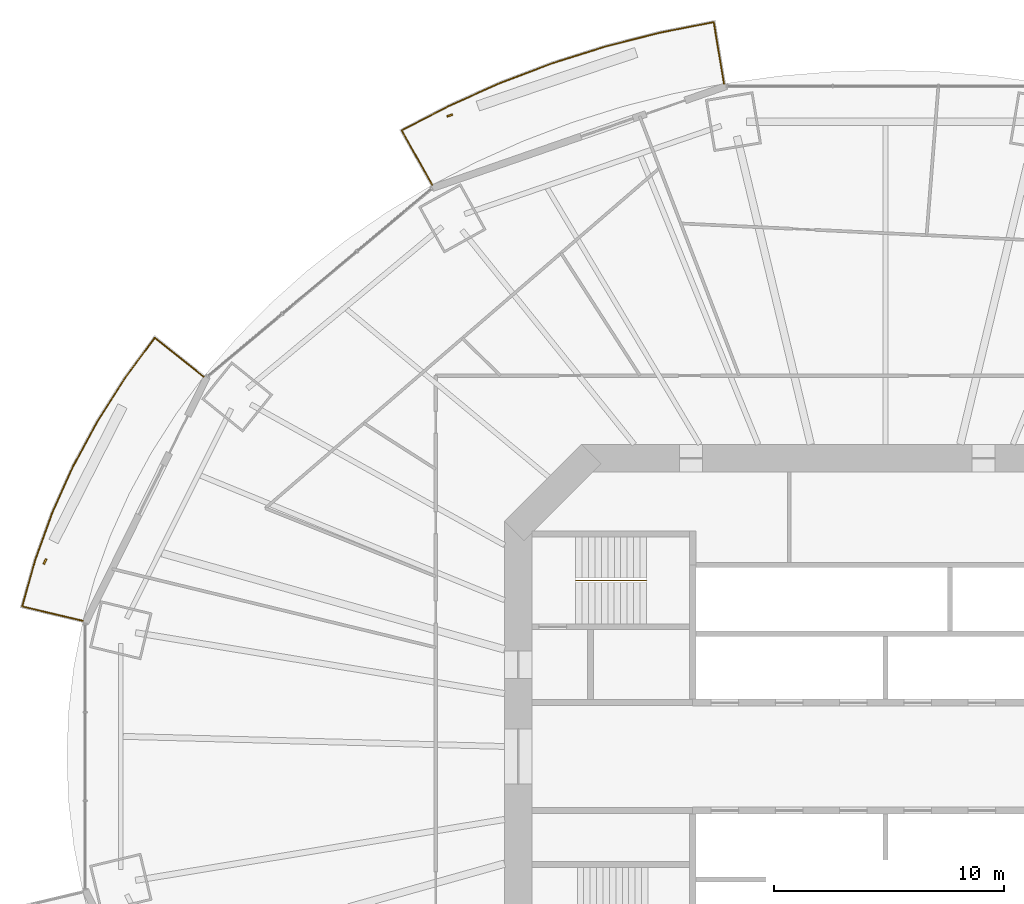
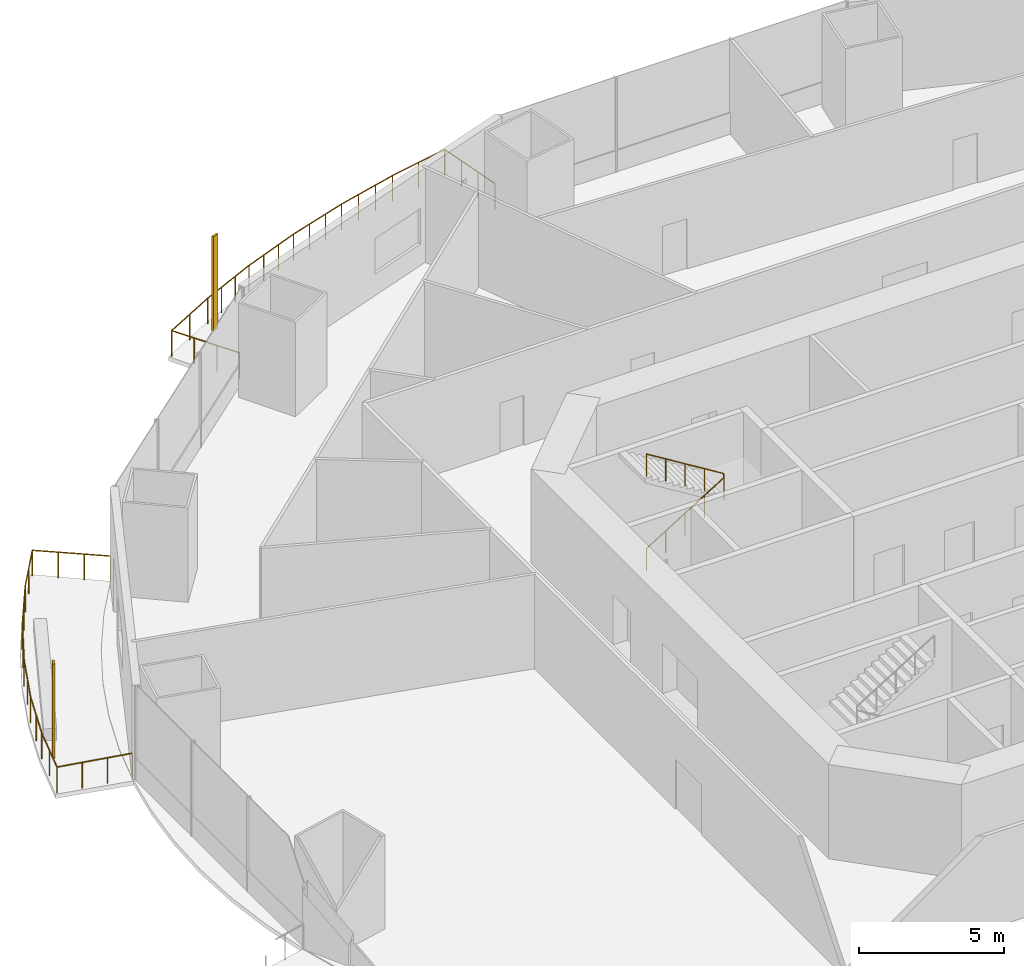
# One storey, part 19 of 22: 3 railings, 2 shading devices.
"""IFC4 building model written with IfcOpenShell, lengths in metres."""

from ifc_helpers import new_model, si_unit, direction, frame, origin, origin_2d, place, context, subcontext, project, spatial, rectangle, circle, extrude, material, material_profile, profile_set, type_object, element, save


model = new_model("IFC4")

# Units and contexts
model_context = context("Model", 3, precision=1e-05, world=origin(), true_north=direction((0.0, 1.0)))
body_context = subcontext(model_context, "Body", "Model", "MODEL_VIEW")
ifc_project = project(units=[si_unit("LENGTHUNIT", "METRE"), si_unit("AREAUNIT", "SQUARE_METRE"), si_unit("VOLUMEUNIT", "CUBIC_METRE"), si_unit("PLANEANGLEUNIT", "RADIAN"), si_unit("MASSUNIT", "GRAM", prefix="KILO")], contexts=[model_context])

# Site, building, storey
site_placement = place(None, origin())
site = spatial("IfcSite", under=ifc_project, at=site_placement, CompositionType="ELEMENT")
building_placement = place(site_placement, origin())
building = spatial("IfcBuilding", under=site, at=building_placement, Name="Marenthal Gate Tower", CompositionType="ELEMENT")
storey_placement = place(building_placement, frame((0.0, 0.0, 70.35009765625)))
storey = spatial("IfcBuildingStorey", under=building, at=storey_placement, Name="L13", CompositionType="ELEMENT", Elevation=70.35009765625)

# Railings
ifc_material_1 = material(Name="Stainless steel", Category="steel")
railing_type_1 = type_object("IfcRailingType", Name="Balcony guard 1100", PredefinedType="GUARDRAIL", material=ifc_material_1)
railing_1_placement = place(storey_placement, frame((-19.7490234375, 24.9033203125, 0.0)))
element("IfcRailing", 1, at=railing_1_placement, inside=storey, type_object=railing_type_1, Name="Balcony guard L13 bay 5", PredefinedType="GUARDRAIL", context=body_context, shape_type="SweptSolid", body=[
    extrude(circle(Radius=0.02392578125, at=origin_2d()), frame((0.0, 0.0, 1.076171875), z_axis=(-0.488916588254, 0.872206373208, -0.014717753391), x_axis=(-0.872300853857, -0.488969549523, 0.0)), (0.0, 0.0, 1.0), 2.720458984375),
    extrude(circle(Radius=0.02392578125, at=origin_2d()), frame((-1.330078125, 2.372802734375, 1.0361328125), z_axis=(0.887259903965, 0.461269837314, 0.0), x_axis=(-0.461269837314, 0.887259903965, 0.0)), (0.0, 0.0, 1.0), 2.318359375),
    extrude(circle(Radius=0.02392578125, at=origin_2d()), frame((0.726806640625, 3.442138671875, 1.0361328125), z_axis=(0.91254444095, 0.408977558419, 0.0), x_axis=(-0.408977558419, 0.91254444095, 0.0)), (0.0, 0.0, 1.0), 2.415771484375),
    extrude(circle(Radius=0.02392578125, at=origin_2d()), frame((2.931396484375, 4.43017578125, 1.0361328125), z_axis=(0.934822913626, 0.355114235366, 0.0), x_axis=(-0.355114235366, 0.934822913626, 0.0)), (0.0, 0.0, 1.0), 2.431640625),
    extrude(circle(Radius=0.02392578125, at=origin_2d()), frame((5.20458984375, 5.293701171875, 1.0361328125), z_axis=(0.953650519342, 0.300916411912, 0.0), x_axis=(-0.300916411912, 0.953650519342, 0.0)), (0.0, 0.0, 1.0), 2.446044921875),
    extrude(circle(Radius=0.02392578125, at=origin_2d()), frame((7.537353515625, 6.02978515625, 1.0361328125), z_axis=(0.969164913017, 0.246413009756, 0.0), x_axis=(-0.246413009756, 0.969164913017, 0.0)), (0.0, 0.0, 1.0), 2.4580078125),
    extrude(circle(Radius=0.02392578125, at=origin_2d()), frame((9.919677734375, 6.635498046875, 1.0361328125), z_axis=(0.981255035118, 0.192713663388, 0.0), x_axis=(-0.192713663388, 0.981255035118, 0.0)), (0.0, 0.0, 1.0), 2.387939453125),
    extrude(circle(Radius=0.02392578125, at=origin_2d()), frame((12.262939453125, 7.095703125, 1.0361328125), z_axis=(0.164599482451, -0.986250661205, 0.014718819587), x_axis=(0.986357511038, 0.164617315064, 0.0)), (0.0, 0.0, 1.0), 2.72021484375),
    extrude(circle(Radius=0.02099609375, at=origin_2d()), origin(), (0.0, 0.0, 1.0), 1.052001953125),
    extrude(circle(Radius=0.02099609375, at=origin_2d()), frame((-0.443359375, 0.791015625, -0.013427734375)), (0.0, 0.0, 1.0), 1.052001953125),
    extrude(circle(Radius=0.02099609375, at=origin_2d()), frame((-0.88671875, 1.581787109375, -0.026611328125)), (0.0, 0.0, 1.0), 1.052001953125),
    extrude(circle(Radius=0.02099609375, at=origin_2d()), frame((-1.330078125, 2.372802734375, -0.0400390625)), (0.0, 0.0, 1.0), 1.052001953125),
    extrude(circle(Radius=0.02099609375, at=origin_2d()), frame((-0.3017578125, 2.907470703125, -0.0400390625)), (0.0, 0.0, 1.0), 1.052001953125),
    extrude(circle(Radius=0.02099609375, at=origin_2d()), frame((0.726806640625, 3.442138671875, -0.0400390625)), (0.0, 0.0, 1.0), 1.052001953125),
    extrude(circle(Radius=0.02099609375, at=origin_2d()), frame((1.461669921875, 3.771484375, -0.0400390625)), (0.0, 0.0, 1.0), 1.052001953125),
    extrude(circle(Radius=0.02099609375, at=origin_2d()), frame((2.196533203125, 4.100830078125, -0.0400390625)), (0.0, 0.0, 1.0), 1.052001953125),
    extrude(circle(Radius=0.02099609375, at=origin_2d()), frame((2.931396484375, 4.43017578125, -0.0400390625)), (0.0, 0.0, 1.0), 1.052001953125),
    extrude(circle(Radius=0.02099609375, at=origin_2d()), frame((3.689208984375, 4.718017578125, -0.0400390625)), (0.0, 0.0, 1.0), 1.052001953125),
    extrude(circle(Radius=0.02099609375, at=origin_2d()), frame((4.44677734375, 5.005859375, -0.0400390625)), (0.0, 0.0, 1.0), 1.052001953125),
    extrude(circle(Radius=0.02099609375, at=origin_2d()), frame((5.20458984375, 5.293701171875, -0.0400390625)), (0.0, 0.0, 1.0), 1.052001953125),
    extrude(circle(Radius=0.02099609375, at=origin_2d()), frame((5.982177734375, 5.5390625, -0.0400390625)), (0.0, 0.0, 1.0), 1.052001953125),
    extrude(circle(Radius=0.02099609375, at=origin_2d()), frame((6.759765625, 5.784423828125, -0.0400390625)), (0.0, 0.0, 1.0), 1.052001953125),
    extrude(circle(Radius=0.02099609375, at=origin_2d()), frame((7.537353515625, 6.02978515625, -0.0400390625)), (0.0, 0.0, 1.0), 1.052001953125),
    extrude(circle(Radius=0.02099609375, at=origin_2d()), frame((8.33154296875, 6.231689453125, -0.0400390625)), (0.0, 0.0, 1.0), 1.052001953125),
    extrude(circle(Radius=0.02099609375, at=origin_2d()), frame((9.12548828125, 6.43359375, -0.0400390625)), (0.0, 0.0, 1.0), 1.052001953125),
    extrude(circle(Radius=0.02099609375, at=origin_2d()), frame((9.919677734375, 6.635498046875, -0.0400390625)), (0.0, 0.0, 1.0), 1.052001953125),
    extrude(circle(Radius=0.02099609375, at=origin_2d()), frame((11.09130859375, 6.86572265625, -0.0400390625)), (0.0, 0.0, 1.0), 1.052001953125),
    extrude(circle(Radius=0.02099609375, at=origin_2d()), frame((12.262939453125, 7.095703125, -0.0400390625)), (0.0, 0.0, 1.0), 1.052001953125),
    extrude(circle(Radius=0.02099609375, at=origin_2d()), frame((12.412109375, 6.201416015625, -0.026611328125)), (0.0, 0.0, 1.0), 1.052001953125),
    extrude(circle(Radius=0.02099609375, at=origin_2d()), frame((12.5615234375, 5.30712890625, -0.013427734375)), (0.0, 0.0, 1.0), 1.052001953125),
    extrude(circle(Radius=0.02099609375, at=origin_2d()), frame((12.710693359375, 4.412841796875, 0.0)), (0.0, 0.0, 1.0), 1.052001953125),
])
railing_2_placement = place(storey_placement, frame((-34.96923828125, 5.911865234375, 0.0)))
element("IfcRailing", 2, at=railing_2_placement, inside=storey, type_object=railing_type_1, Name="Balcony guard L13 bay 7", PredefinedType="GUARDRAIL", context=body_context, shape_type="SweptSolid", body=[
    extrude(circle(Radius=0.02392578125, at=origin_2d()), frame((0.0, 0.0, 1.076171875), z_axis=(-0.972921871805, 0.230665056323, -0.014719482193), x_axis=(-0.230690048693, -0.973027287096, 0.0)), (0.0, 0.0, 1.0), 2.72021484375),
    extrude(circle(Radius=0.02392578125, at=origin_2d()), frame((-2.646484375, 0.62744140625, 1.0361328125), z_axis=(0.26934176956, 0.963044656893, 0.0), x_axis=(-0.963044656893, 0.26934176956, 0.0)), (0.0, 0.0, 1.0), 2.105712890625),
    extrude(circle(Radius=0.02392578125, at=origin_2d()), frame((-2.079345703125, 2.6552734375, 1.0361328125), z_axis=(0.340269936614, 0.940327799353, 0.0), x_axis=(-0.940327799353, 0.340269936614, 0.0)), (0.0, 0.0, 1.0), 2.1962890625),
    extrude(circle(Radius=0.02392578125, at=origin_2d()), frame((-1.33203125, 4.720458984375, 1.0361328125), z_axis=(0.409519083019, 0.912301551376, 0.0), x_axis=(-0.912301551376, 0.409519083019, 0.0)), (0.0, 0.0, 1.0), 2.20947265625),
    extrude(circle(Radius=0.02392578125, at=origin_2d()), frame((-0.42724609375, 6.736083984375, 1.0361328125), z_axis=(0.475441262736, 0.879747466997, 0.0), x_axis=(-0.879747466997, 0.475441262736, 0.0)), (0.0, 0.0, 1.0), 2.223876953125),
    extrude(circle(Radius=0.02392578125, at=origin_2d()), frame((0.630126953125, 8.692626953125, 1.0361328125), z_axis=(0.53758735843, 0.843208059767, 0.0), x_axis=(-0.843208059767, 0.53758735843, 0.0)), (0.0, 0.0, 1.0), 2.24072265625),
    extrude(circle(Radius=0.02392578125, at=origin_2d()), frame((1.834716796875, 10.58203125, 1.0361328125), z_axis=(0.594680833833, 0.803961880857, 0.0), x_axis=(-0.803961880857, 0.594680833833, 0.0)), (0.0, 0.0, 1.0), 2.17919921875),
    extrude(circle(Radius=0.02392578125, at=origin_2d()), frame((3.130615234375, 12.333984375, 1.0361328125), z_axis=(0.782139521654, -0.622929480184, 0.014718402932), x_axis=(0.622996964186, 0.782224253405, 0.0)), (0.0, 0.0, 1.0), 2.720458984375),
    extrude(circle(Radius=0.02099609375, at=origin_2d()), origin(), (0.0, 0.0, 1.0), 1.052001953125),
    extrude(circle(Radius=0.02099609375, at=origin_2d()), frame((-0.882080078125, 0.209228515625, -0.013427734375)), (0.0, 0.0, 1.0), 1.052001953125),
    extrude(circle(Radius=0.02099609375, at=origin_2d()), frame((-1.764404296875, 0.418212890625, -0.026611328125)), (0.0, 0.0, 1.0), 1.052001953125),
    extrude(circle(Radius=0.02099609375, at=origin_2d()), frame((-2.646484375, 0.62744140625, -0.0400390625)), (0.0, 0.0, 1.0), 1.052001953125),
    extrude(circle(Radius=0.02099609375, at=origin_2d()), frame((-2.36279296875, 1.641357421875, -0.0400390625)), (0.0, 0.0, 1.0), 1.052001953125),
    extrude(circle(Radius=0.02099609375, at=origin_2d()), frame((-2.079345703125, 2.6552734375, -0.0400390625)), (0.0, 0.0, 1.0), 1.052001953125),
    extrude(circle(Radius=0.02099609375, at=origin_2d()), frame((-1.70556640625, 3.68798828125, -0.0400390625)), (0.0, 0.0, 1.0), 1.052001953125),
    extrude(circle(Radius=0.02099609375, at=origin_2d()), frame((-1.33203125, 4.720458984375, -0.0400390625)), (0.0, 0.0, 1.0), 1.052001953125),
    extrude(circle(Radius=0.02099609375, at=origin_2d()), frame((-0.879638671875, 5.728271484375, -0.0400390625)), (0.0, 0.0, 1.0), 1.052001953125),
    extrude(circle(Radius=0.02099609375, at=origin_2d()), frame((-0.42724609375, 6.736083984375, -0.0400390625)), (0.0, 0.0, 1.0), 1.052001953125),
    extrude(circle(Radius=0.02099609375, at=origin_2d()), frame((0.1015625, 7.71435546875, -0.0400390625)), (0.0, 0.0, 1.0), 1.052001953125),
    extrude(circle(Radius=0.02099609375, at=origin_2d()), frame((0.630126953125, 8.692626953125, -0.0400390625)), (0.0, 0.0, 1.0), 1.052001953125),
    extrude(circle(Radius=0.02099609375, at=origin_2d()), frame((1.232421875, 9.63720703125, -0.0400390625)), (0.0, 0.0, 1.0), 1.052001953125),
    extrude(circle(Radius=0.02099609375, at=origin_2d()), frame((1.834716796875, 10.58203125, -0.0400390625)), (0.0, 0.0, 1.0), 1.052001953125),
    extrude(circle(Radius=0.02099609375, at=origin_2d()), frame((2.482666015625, 11.4580078125, -0.0400390625)), (0.0, 0.0, 1.0), 1.052001953125),
    extrude(circle(Radius=0.02099609375, at=origin_2d()), frame((3.130615234375, 12.333984375, -0.0400390625)), (0.0, 0.0, 1.0), 1.052001953125),
    extrude(circle(Radius=0.02099609375, at=origin_2d()), frame((3.83984375, 11.76904296875, -0.026611328125)), (0.0, 0.0, 1.0), 1.052001953125),
    extrude(circle(Radius=0.02099609375, at=origin_2d()), frame((4.549072265625, 11.204345703125, -0.013427734375)), (0.0, 0.0, 1.0), 1.052001953125),
    extrude(circle(Radius=0.02099609375, at=origin_2d()), frame((5.25830078125, 10.639404296875, 0.0)), (0.0, 0.0, 1.0), 1.052001953125),
])
ifc_material_2 = material(Name="Stainless steel", Category="steel")
railing_type_2 = type_object("IfcRailingType", Name="Stair handrail", PredefinedType="HANDRAIL", material=ifc_material_2)
railing_3_placement = place(storey_placement, frame((-13.5, 7.675048828125, 0.1728515625)))
element("IfcRailing", 3, at=railing_3_placement, inside=storey, type_object=railing_type_2, Name="Handrail ST1", PredefinedType="HANDRAIL", context=body_context, shape_type="SweptSolid", body=[
    extrude(circle(Radius=0.0224609375, at=origin_2d()), frame((0.0, 0.0, 0.927490234375), z_axis=(0.850835241893, 0.0, 0.525432575268), x_axis=(0.0, 1.0, 0.0)), (0.0, 0.0, 1.0), 3.6201171875),
    extrude(circle(Radius=0.0224609375, at=origin_2d()), frame((3.080078125, 0.0, 2.82958984375), z_axis=(0.0, 0.0, 1.0), x_axis=(1.0, 0.0, 0.0)), (0.0, 0.0, 1.0), 0.1728515625),
    extrude(circle(Radius=0.0224609375, at=origin_2d()), frame((3.080078125, 0.0, 3.00244140625), z_axis=(-0.850835241893, 0.0, 0.525432575268), x_axis=(0.0, -1.0, 0.0)), (0.0, 0.0, 1.0), 3.6201171875),
    extrude(circle(Radius=0.02001953125, at=origin_2d()), origin(), (0.0, 0.0, 1.0), 0.905029296875),
    extrude(circle(Radius=0.02001953125, at=origin_2d()), frame((0.77001953125, 0.0, 0.4755859375)), (0.0, 0.0, 1.0), 0.905029296875),
    extrude(circle(Radius=0.02001953125, at=origin_2d()), frame((1.5400390625, 0.0, 0.951171875)), (0.0, 0.0, 1.0), 0.905029296875),
    extrude(circle(Radius=0.02001953125, at=origin_2d()), frame((2.31005859375, 0.0, 1.426513671875)), (0.0, 0.0, 1.0), 0.905029296875),
    extrude(circle(Radius=0.02001953125, at=origin_2d()), frame((3.080078125, 0.0, 1.902099609375)), (0.0, 0.0, 1.0), 0.905029296875),
    extrude(circle(Radius=0.02001953125, at=origin_2d()), frame((3.080078125, 0.0, 2.074951171875)), (0.0, 0.0, 1.0), 0.905029296875),
    extrude(circle(Radius=0.02001953125, at=origin_2d()), frame((2.31005859375, 0.0, 2.550537109375)), (0.0, 0.0, 1.0), 0.905029296875),
    extrude(circle(Radius=0.02001953125, at=origin_2d()), frame((1.5400390625, 0.0, 3.02587890625)), (0.0, 0.0, 1.0), 0.905029296875),
    extrude(circle(Radius=0.02001953125, at=origin_2d()), frame((0.77001953125, 0.0, 3.50146484375)), (0.0, 0.0, 1.0), 0.905029296875),
    extrude(circle(Radius=0.02001953125, at=origin_2d()), frame((0.0, 0.0, 3.97705078125)), (0.0, 0.0, 1.0), 0.905029296875),
])

# Shading devices
ifc_material_3 = material(Name="Terracotta", Category="masonry")
ifc_material_profile = material_profile(ifc_material_3, rectangle(XDim=0.25, YDim=0.080078125, at=origin_2d()), Name="Terracotta baguette 250x80")
ifc_profile_set = profile_set([ifc_material_profile], Name="Terracotta")
shading_device_type = type_object("IfcShadingDeviceType", Name="Terracotta BAGUETTE SCREEN 250x80", PredefinedType="USERDEFINED", material=ifc_profile_set)
for number, where, z_axis, x_axis, name in (
    (4, (-18.984375, 27.93017578125, -0.0400390625), (0.0, 0.0, 1.0), (-0.944656596613, -0.328060839595, 0.0), "Terracotta BAGUETTE L13 bay 5R"),
    (5, (-36.624755859375, 8.495361328125, -0.0400390625), (0.0, 0.0, 1.0), (-0.44293870584, -0.896551896361, 0.0), "Terracotta BAGUETTE L13 bay 7R"),
):
    element("IfcShadingDevice", number, at=place(storey_placement, frame(where, z_axis=z_axis, x_axis=x_axis)), inside=storey, type_object=shading_device_type, Name=name, ObjectType="BAGUETTE SCREEN", PredefinedType="USERDEFINED", context=body_context, shape_type="SweptSolid", body=[
        extrude(rectangle(XDim=0.25, YDim=0.080078125, at=origin_2d()), origin(), (0.0, 0.0, 1.0), 3.969970703125),
    ])

save(model, "model.ifc")
